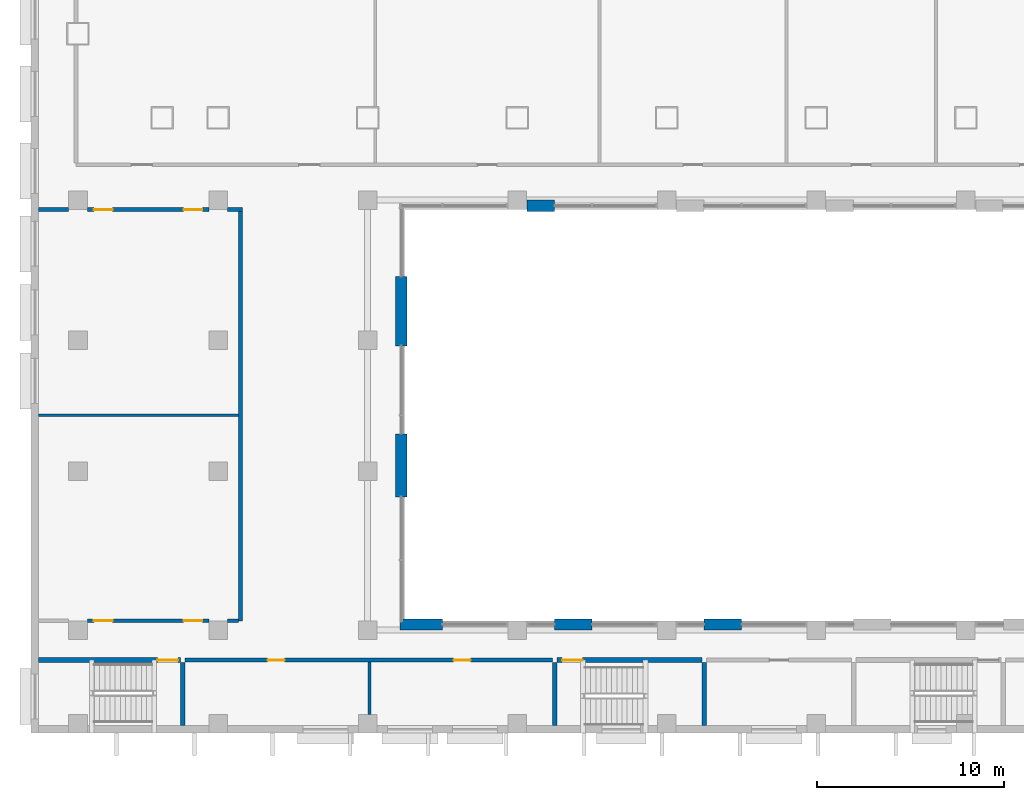
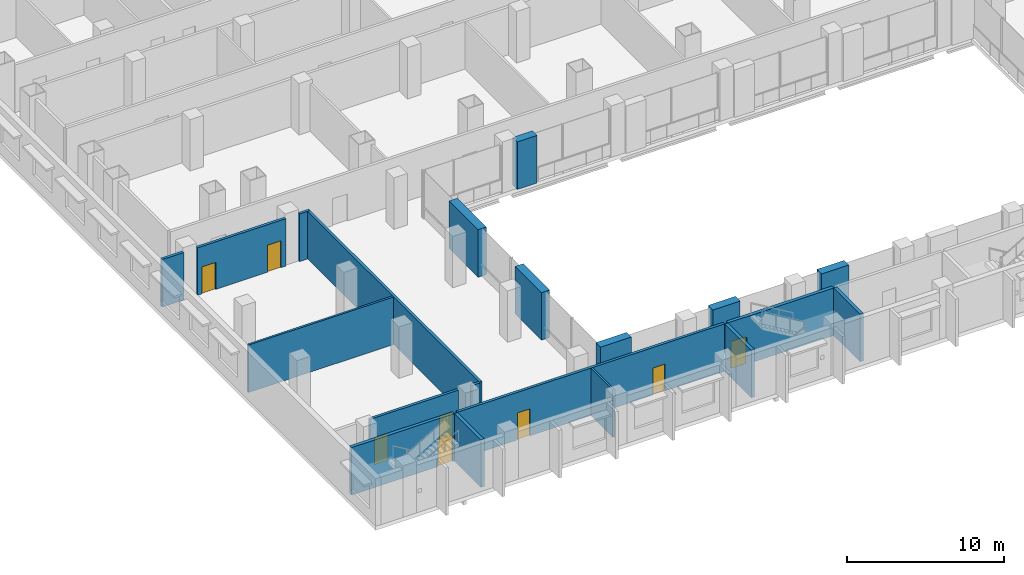
# One storey, part 8 of 25: 20 walls, 8 doors, 8 openings.
"""IFC4 building model written with IfcOpenShell, lengths in metres."""

from ifc_helpers import new_model, si_unit, direction, frame, frame_2d, origin, place, context, subcontext, project, spatial, rectangle, extrude, material, layer, layer_set, type_object, element, fill, save


model = new_model("IFC4")

# Units and contexts
model_context = context("Model", 3, precision=1e-05, world=origin(), true_north=direction((0.0, 1.0)))
body_context = subcontext(model_context, "Body", "Model", "MODEL_VIEW")
ifc_project = project(units=[si_unit("LENGTHUNIT", "METRE"), si_unit("AREAUNIT", "SQUARE_METRE"), si_unit("VOLUMEUNIT", "CUBIC_METRE"), si_unit("PLANEANGLEUNIT", "RADIAN"), si_unit("MASSUNIT", "GRAM", prefix="KILO")], contexts=[model_context])

# Site, building, storey
site_placement = place(None, origin())
site = spatial("IfcSite", under=ifc_project, at=site_placement, CompositionType="ELEMENT")
building_placement = place(site_placement, origin())
building = spatial("IfcBuilding", under=site, at=building_placement, Name="Vidyagriha Tower", CompositionType="ELEMENT")
storey_placement = place(building_placement, frame((0.0, 0.0, 10.0)))
storey = spatial("IfcBuildingStorey", under=building, at=storey_placement, Name="L02", CompositionType="ELEMENT", Elevation=10.0)

# Walls
ifc_material_1 = material(Name="Precast concrete C40/50 with brick facing", Category="concrete")
ifc_layer_1 = layer(ifc_material_1, 0.60009765625)
ifc_layer_set_1 = layer_set([ifc_layer_1], Name="Precast concrete C40/50 with brick facing")
wall_type_1 = type_object("IfcWallType", Name="Brick-faced precast wall 600", PredefinedType="STANDARD", material=ifc_layer_set_1)
for number, where, z_axis, x_axis, name in (
    (1, (-2.0, -44.199951171875, 0.0), (0.0, 0.0, 1.0), (-1.0, 0.0, 0.0), "Brick door bay wall L02 R07.12"),
    (2, (-10.0, -44.199951171875, 0.0), (0.0, 0.0, 1.0), (-1.0, 0.0, 0.0), "Brick door bay wall L02 R07.16"),
):
    element("IfcWall", number, at=place(storey_placement, frame(where, z_axis=z_axis, x_axis=x_axis)), inside=storey, type_object=wall_type_1, Name=name, PredefinedType="STANDARD", context=body_context, shape_type="SweptSolid", body=[
        extrude(rectangle(XDim=2.0, YDim=0.60009765625, at=frame_2d((1.0, 0.0))), origin(), (0.0, 0.0, 1.0), 3.699951171875),
    ])
wall_1_placement = place(storey_placement, frame((-18.0, -44.199951171875, 0.0), z_axis=(0.0, 0.0, 1.0), x_axis=(-1.0, 0.0, 0.0)))
element("IfcWall", 3, at=wall_1_placement, inside=storey, type_object=wall_type_1, Name="Brick door bay wall L02 R07.20", PredefinedType="STANDARD", context=body_context, shape_type="SweptSolid", body=[
    extrude(rectangle(XDim=2.280029296875, YDim=0.60009765625, at=frame_2d((1.14013671875, 0.0))), origin(), (0.0, 0.0, 1.0), 3.699951171875),
])
wall_2_placement = place(storey_placement, frame((-20.199951171875, -37.373291015625, 0.0), z_axis=(0.0, 0.0, 1.0), x_axis=(0.0, 1.0, 0.0)))
element("IfcWall", 4, at=wall_2_placement, inside=storey, type_object=wall_type_1, Name="Brick door bay wall L02 R08.3", PredefinedType="STANDARD", context=body_context, shape_type="SweptSolid", body=[
    extrude(rectangle(XDim=3.373291015625, YDim=0.60009765625, at=frame_2d((1.6865234375, 0.0))), origin(), (0.0, 0.0, 1.0), 3.699951171875),
])
wall_3_placement = place(storey_placement, frame((-20.199951171875, -29.293212890625, 0.0), z_axis=(0.0, 0.0, 1.0), x_axis=(0.0, 1.0, 0.0)))
element("IfcWall", 5, at=wall_3_placement, inside=storey, type_object=wall_type_1, Name="Brick door bay wall L02 R08.6", PredefinedType="STANDARD", context=body_context, shape_type="SweptSolid", body=[
    extrude(rectangle(XDim=3.70654296875, YDim=0.60009765625, at=frame_2d((1.853271484375, 0.0))), origin(), (0.0, 0.0, 1.0), 3.699951171875),
])
wall_4_placement = place(storey_placement, frame((-13.469970703125, -21.800048828125, 0.0)))
element("IfcWall", 6, at=wall_4_placement, inside=storey, type_object=wall_type_1, Name="Brick door bay wall L02 R09.4", PredefinedType="STANDARD", context=body_context, shape_type="SweptSolid", body=[
    extrude(rectangle(XDim=1.469970703125, YDim=0.60009765625, at=frame_2d((0.73486328125, 0.0))), origin(), (0.0, 0.0, 1.0), 3.699951171875),
])

# Wall, opening, door
ifc_material_2 = material(Name="Concrete C32/40", Category="concrete")
ifc_layer_2 = layer(ifc_material_2, 0.25)
ifc_layer_set_2 = layer_set([ifc_layer_2], Name="Concrete C32/40")
wall_type_2 = type_object("IfcWallType", Name="Concrete Stair Enclosure Wall 250", PredefinedType="SOLIDWALL", material=ifc_layer_set_2)
wall_5_placement = place(storey_placement, frame((-39.60009765625, -46.10009765625, 0.0)))
wall_5 = element("IfcWall", 7, at=wall_5_placement, inside=storey, type_object=wall_type_2, Name="L02 Concrete Stair Enclosure Wall 250 003", PredefinedType="SOLIDWALL", context=body_context, shape_type="SweptSolid", body=[
    extrude(rectangle(XDim=7.5751953125, YDim=0.25, at=frame_2d((3.78759765625, 0.0))), origin(), (0.0, 0.0, 1.0), 3.699951171875),
])
opening_1_placement = place(wall_5_placement, frame((6.35498046875, 0.0, 0.0)))
opening_1 = element("IfcOpeningElement", 8, at=opening_1_placement, cuts=wall_5, Name="Opening D02-59", PredefinedType="OPENING", context=body_context, shape_type="SweptSolid", body=[
    extrude(rectangle(XDim=1.10009765625, YDim=2.10009765625, at=frame_2d((0.550048828125, 1.050048828125))), frame((0.0, 0.135009765625, 0.0), z_axis=(0.0, -1.0, 0.0), x_axis=(1.0, 0.0, 0.0)), (0.0, 0.0, 1.0), 0.27001953125),
])
ifc_material_3 = material(Name="Steel fire door set", Category="steel")
door_type_1 = type_object("IfcDoorType", Name="Podium Door 1100x2100 EI 90", OperationType="NOTDEFINED", PredefinedType="DOOR", material=ifc_material_3)
door_1_placement = place(opening_1_placement, origin())
door_1 = element("IfcDoor", 9, at=door_1_placement, inside=storey, type_object=door_type_1, Name="L02 door D02-59", OperationType="SINGLE_SWING_RIGHT", OverallHeight=2.10009765625, OverallWidth=1.10009765625, PredefinedType="DOOR", context=body_context, shape_type="SweptSolid", body=[
    extrude(rectangle(XDim=1.10009765625, YDim=2.10009765625, at=frame_2d((0.550048828125, 1.050048828125))), frame((0.0, 0.02490234375, 0.0), z_axis=(0.0, -1.0, 0.0), x_axis=(1.0, 0.0, 0.0)), (0.0, 0.0, 1.0), 0.050048828125),
])
fill(opening_1, door_1)

wall_6_placement = place(storey_placement, frame((-11.875, -46.10009765625, 0.0)))
wall_6 = element("IfcWall", 10, at=wall_6_placement, inside=storey, type_object=wall_type_2, Name="L02 Concrete Stair Enclosure Wall 250 004", PredefinedType="SOLIDWALL", context=body_context, shape_type="SweptSolid", body=[
    extrude(rectangle(XDim=7.75, YDim=0.25, at=frame_2d((3.875, 0.0))), origin(), (0.0, 0.0, 1.0), 3.699951171875),
])
opening_2_placement = place(wall_6_placement, frame((0.27001953125, 0.0, 0.0)))
opening_2 = element("IfcOpeningElement", 11, at=opening_2_placement, cuts=wall_6, Name="Opening D02-61", PredefinedType="OPENING", context=body_context, shape_type="SweptSolid", body=[
    extrude(rectangle(XDim=1.10009765625, YDim=2.10009765625, at=frame_2d((0.550048828125, 1.050048828125))), frame((0.0, 0.135009765625, 0.0), z_axis=(0.0, -1.0, 0.0), x_axis=(1.0, 0.0, 0.0)), (0.0, 0.0, 1.0), 0.27001953125),
])
door_2_placement = place(opening_2_placement, origin())
door_2 = element("IfcDoor", 12, at=door_2_placement, inside=storey, type_object=door_type_1, Name="L02 door D02-61", OperationType="SINGLE_SWING_LEFT", OverallHeight=2.10009765625, OverallWidth=1.10009765625, PredefinedType="DOOR", context=body_context, shape_type="SweptSolid", body=[
    extrude(rectangle(XDim=1.10009765625, YDim=2.10009765625, at=frame_2d((0.550048828125, 1.050048828125))), frame((0.0, 0.02490234375, 0.0), z_axis=(0.0, -1.0, 0.0), x_axis=(1.0, 0.0, 0.0)), (0.0, 0.0, 1.0), 0.050048828125),
])
fill(opening_2, door_2)

# Walls
for number, where, z_axis, x_axis, name in (
    (13, (-31.89990234375, -49.60009765625, 0.0), (0.0, 0.0, 1.0), (0.0, 1.0, 0.0), "L02 Concrete Stair Enclosure Wall 250 044"),
    (14, (-12.0, -49.60009765625, 0.0), (0.0, 0.0, 1.0), (0.0, 1.0, 0.0), "L02 Concrete Stair Enclosure Wall 250 056"),
    (15, (-4.0, -49.60009765625, 0.0), (0.0, 0.0, 1.0), (0.0, 1.0, 0.0), "L02 Concrete Stair Enclosure Wall 250 059"),
):
    element("IfcWall", number, at=place(storey_placement, frame(where, z_axis=z_axis, x_axis=x_axis)), inside=storey, type_object=wall_type_2, Name=name, PredefinedType="SOLIDWALL", context=body_context, shape_type="SweptSolid", body=[
        extrude(rectangle(XDim=3.375, YDim=0.25, at=frame_2d((1.6875, 0.0))), origin(), (0.0, 0.0, 1.0), 3.699951171875),
    ])

# Wall, openings, doors
ifc_material_4 = material(Name="Fire rated gypsum board on light gauge framing")
ifc_layer_3 = layer(ifc_material_4, 0.199951171875)
ifc_layer_set_3 = layer_set([ifc_layer_3], Name="Fire rated gypsum board on light gauge framing")
wall_type_3 = type_object("IfcWallType", Name="Fire Rated Corridor Wall 200", PredefinedType="PARTITIONING", material=ifc_layer_set_3)
wall_7_placement = place(storey_placement, frame((-31.77490234375, -46.10009765625, 0.0)))
wall_7 = element("IfcWall", 16, at=wall_7_placement, inside=storey, type_object=wall_type_3, Name="L02 Fire Rated Corridor Wall 200 000", PredefinedType="PARTITIONING", context=body_context, shape_type="SweptSolid", body=[
    extrude(rectangle(XDim=19.64990234375, YDim=0.199951171875, at=frame_2d((9.824951171875, 0.0))), origin(), (0.0, 0.0, 1.0), 3.699951171875),
])
opening_3_placement = place(wall_7_placement, frame((4.425048828125, 0.0, 0.0)))
opening_3 = element("IfcOpeningElement", 17, at=opening_3_placement, cuts=wall_7, Name="Opening D02-22", PredefinedType="OPENING", context=body_context, shape_type="SweptSolid", body=[
    extrude(rectangle(XDim=0.89990234375, YDim=2.10009765625, at=frame_2d((0.449951171875, 1.050048828125))), frame((0.0, 0.10986328125, 0.0), z_axis=(0.0, -1.0, 0.0), x_axis=(1.0, 0.0, 0.0)), (0.0, 0.0, 1.0), 0.219970703125),
])
opening_4_placement = place(wall_7_placement, frame((14.375, 0.0, 0.0)))
opening_4 = element("IfcOpeningElement", 18, at=opening_4_placement, cuts=wall_7, Name="Opening D02-23", PredefinedType="OPENING", context=body_context, shape_type="SweptSolid", body=[
    extrude(rectangle(XDim=0.89990234375, YDim=2.10009765625, at=frame_2d((0.449951171875, 1.050048828125))), frame((0.0, 0.10986328125, 0.0), z_axis=(0.0, -1.0, 0.0), x_axis=(1.0, 0.0, 0.0)), (0.0, 0.0, 1.0), 0.219970703125),
])
ifc_material_5 = material(Name="Steel fire door set", Category="steel")
door_type_2 = type_object("IfcDoorType", Name="Podium Door 900x2100 EI 30", OperationType="NOTDEFINED", PredefinedType="DOOR", material=ifc_material_5)
door_3_placement = place(opening_3_placement, frame((0.89990234375, 0.0, 0.0), z_axis=(0.0, 0.0, 1.0), x_axis=(-1.0, 0.0, 0.0)))
door_3 = element("IfcDoor", 19, at=door_3_placement, inside=storey, type_object=door_type_2, Name="L02 door D02-22", OperationType="SINGLE_SWING_LEFT", OverallHeight=2.10009765625, OverallWidth=0.89990234375, PredefinedType="DOOR", context=body_context, shape_type="SweptSolid", body=[
    extrude(rectangle(XDim=0.89990234375, YDim=2.10009765625, at=frame_2d((0.449951171875, 1.050048828125))), frame((0.0, 0.02490234375, 0.0), z_axis=(0.0, -1.0, 0.0), x_axis=(1.0, 0.0, 0.0)), (0.0, 0.0, 1.0), 0.050048828125),
])
fill(opening_3, door_3)
door_4_placement = place(opening_4_placement, frame((0.89990234375, 0.0, 0.0), z_axis=(0.0, 0.0, 1.0), x_axis=(-1.0, 0.0, 0.0)))
door_4 = element("IfcDoor", 20, at=door_4_placement, inside=storey, type_object=door_type_2, Name="L02 door D02-23", OperationType="SINGLE_SWING_RIGHT", OverallHeight=2.10009765625, OverallWidth=0.89990234375, PredefinedType="DOOR", context=body_context, shape_type="SweptSolid", body=[
    extrude(rectangle(XDim=0.89990234375, YDim=2.10009765625, at=frame_2d((0.449951171875, 1.050048828125))), frame((0.0, 0.02490234375, 0.0), z_axis=(0.0, -1.0, 0.0), x_axis=(1.0, 0.0, 0.0)), (0.0, 0.0, 1.0), 0.050048828125),
])
fill(opening_4, door_4)

wall_8_placement = place(storey_placement, frame((-37.0, -44.0, 0.0)))
wall_8 = element("IfcWall", 21, at=wall_8_placement, inside=storey, type_object=wall_type_3, Name="L02 Fire Rated Corridor Wall 200 008", PredefinedType="PARTITIONING", context=body_context, shape_type="SweptSolid", body=[
    extrude(rectangle(XDim=6.5, YDim=0.199951171875, at=frame_2d((3.25, 0.0))), origin(), (0.0, 0.0, 1.0), 3.699951171875),
])
opening_5_placement = place(wall_8_placement, frame((0.35009765625, 0.0, 0.0)))
opening_5 = element("IfcOpeningElement", 22, at=opening_5_placement, cuts=wall_8, Name="Opening D02-14", PredefinedType="OPENING", context=body_context, shape_type="SweptSolid", body=[
    extrude(rectangle(XDim=1.0, YDim=2.10009765625, at=frame_2d((0.5, 1.050048828125))), frame((0.0, 0.10986328125, 0.0), z_axis=(0.0, -1.0, 0.0), x_axis=(1.0, 0.0, 0.0)), (0.0, 0.0, 1.0), 0.219970703125),
])
opening_6_placement = place(wall_8_placement, frame((5.14990234375, 0.0, 0.0)))
opening_6 = element("IfcOpeningElement", 23, at=opening_6_placement, cuts=wall_8, Name="Opening D02-15", PredefinedType="OPENING", context=body_context, shape_type="SweptSolid", body=[
    extrude(rectangle(XDim=1.0, YDim=2.10009765625, at=frame_2d((0.5, 1.050048828125))), frame((0.0, 0.10986328125, 0.0), z_axis=(0.0, -1.0, 0.0), x_axis=(1.0, 0.0, 0.0)), (0.0, 0.0, 1.0), 0.219970703125),
])
ifc_material_6 = material(Name="Steel fire door set", Category="steel")
door_type_3 = type_object("IfcDoorType", Name="Podium Door 1000x2100 EI 30", OperationType="NOTDEFINED", PredefinedType="DOOR", material=ifc_material_6)
door_5_placement = place(opening_5_placement, origin())
door_5 = element("IfcDoor", 24, at=door_5_placement, inside=storey, type_object=door_type_3, Name="L02 door D02-14", OperationType="SINGLE_SWING_LEFT", OverallHeight=2.10009765625, OverallWidth=1.0, PredefinedType="DOOR", context=body_context, shape_type="SweptSolid", body=[
    extrude(rectangle(XDim=1.0, YDim=2.10009765625, at=frame_2d((0.5, 1.050048828125))), frame((0.0, 0.02490234375, 0.0), z_axis=(0.0, -1.0, 0.0), x_axis=(1.0, 0.0, 0.0)), (0.0, 0.0, 1.0), 0.050048828125),
])
fill(opening_5, door_5)
door_6_placement = place(opening_6_placement, origin())
door_6 = element("IfcDoor", 25, at=door_6_placement, inside=storey, type_object=door_type_3, Name="L02 door D02-15", OperationType="SINGLE_SWING_RIGHT", OverallHeight=2.10009765625, OverallWidth=1.0, PredefinedType="DOOR", context=body_context, shape_type="SweptSolid", body=[
    extrude(rectangle(XDim=1.0, YDim=2.10009765625, at=frame_2d((0.5, 1.050048828125))), frame((0.0, 0.02490234375, 0.0), z_axis=(0.0, -1.0, 0.0), x_axis=(1.0, 0.0, 0.0)), (0.0, 0.0, 1.0), 0.050048828125),
])
fill(opening_6, door_6)

# Walls
wall_9_placement = place(storey_placement, frame((-29.5, -44.0, 0.0)))
element("IfcWall", 26, at=wall_9_placement, inside=storey, type_object=wall_type_3, Name="L02 Fire Rated Corridor Wall 200 009", PredefinedType="PARTITIONING", context=body_context, shape_type="SweptSolid", body=[
    extrude(rectangle(XDim=0.599853515625, YDim=0.199951171875, at=frame_2d((0.2998046875, 0.0))), origin(), (0.0, 0.0, 1.0), 3.699951171875),
])
wall_10_placement = place(storey_placement, frame((-39.60009765625, -22.0, 0.0)))
element("IfcWall", 27, at=wall_10_placement, inside=storey, type_object=wall_type_3, Name="L02 Fire Rated Corridor Wall 200 015", PredefinedType="PARTITIONING", context=body_context, shape_type="SweptSolid", body=[
    extrude(rectangle(XDim=1.60009765625, YDim=0.199951171875, at=frame_2d((0.800048828125, 0.0))), origin(), (0.0, 0.0, 1.0), 3.699951171875),
])

# Wall, openings, doors
wall_11_placement = place(storey_placement, frame((-37.0, -22.0, 0.0)))
wall_11 = element("IfcWall", 28, at=wall_11_placement, inside=storey, type_object=wall_type_3, Name="L02 Fire Rated Corridor Wall 200 016", PredefinedType="PARTITIONING", context=body_context, shape_type="SweptSolid", body=[
    extrude(rectangle(XDim=6.5, YDim=0.199951171875, at=frame_2d((3.25, 0.0))), origin(), (0.0, 0.0, 1.0), 3.699951171875),
])
opening_7_placement = place(wall_11_placement, frame((0.35009765625, 0.0, 0.0)))
opening_7 = element("IfcOpeningElement", 29, at=opening_7_placement, cuts=wall_11, Name="Opening D02-16", PredefinedType="OPENING", context=body_context, shape_type="SweptSolid", body=[
    extrude(rectangle(XDim=1.0, YDim=2.10009765625, at=frame_2d((0.5, 1.050048828125))), frame((0.0, 0.10986328125, 0.0), z_axis=(0.0, -1.0, 0.0), x_axis=(1.0, 0.0, 0.0)), (0.0, 0.0, 1.0), 0.219970703125),
])
opening_8_placement = place(wall_11_placement, frame((5.14990234375, 0.0, 0.0)))
opening_8 = element("IfcOpeningElement", 30, at=opening_8_placement, cuts=wall_11, Name="Opening D02-17", PredefinedType="OPENING", context=body_context, shape_type="SweptSolid", body=[
    extrude(rectangle(XDim=1.0, YDim=2.10009765625, at=frame_2d((0.5, 1.050048828125))), frame((0.0, 0.10986328125, 0.0), z_axis=(0.0, -1.0, 0.0), x_axis=(1.0, 0.0, 0.0)), (0.0, 0.0, 1.0), 0.219970703125),
])
door_7_placement = place(opening_7_placement, frame((1.0, 0.0, 0.0), z_axis=(0.0, 0.0, 1.0), x_axis=(-1.0, 0.0, 0.0)))
door_7 = element("IfcDoor", 31, at=door_7_placement, inside=storey, type_object=door_type_3, Name="L02 door D02-16", OperationType="SINGLE_SWING_LEFT", OverallHeight=2.10009765625, OverallWidth=1.0, PredefinedType="DOOR", context=body_context, shape_type="SweptSolid", body=[
    extrude(rectangle(XDim=1.0, YDim=2.10009765625, at=frame_2d((0.5, 1.050048828125))), frame((0.0, 0.02490234375, 0.0), z_axis=(0.0, -1.0, 0.0), x_axis=(1.0, 0.0, 0.0)), (0.0, 0.0, 1.0), 0.050048828125),
])
fill(opening_7, door_7)
door_8_placement = place(opening_8_placement, frame((1.0, 0.0, 0.0), z_axis=(0.0, 0.0, 1.0), x_axis=(-1.0, 0.0, 0.0)))
door_8 = element("IfcDoor", 32, at=door_8_placement, inside=storey, type_object=door_type_3, Name="L02 door D02-17", OperationType="SINGLE_SWING_RIGHT", OverallHeight=2.10009765625, OverallWidth=1.0, PredefinedType="DOOR", context=body_context, shape_type="SweptSolid", body=[
    extrude(rectangle(XDim=1.0, YDim=2.10009765625, at=frame_2d((0.5, 1.050048828125))), frame((0.0, 0.02490234375, 0.0), z_axis=(0.0, -1.0, 0.0), x_axis=(1.0, 0.0, 0.0)), (0.0, 0.0, 1.0), 0.050048828125),
])
fill(opening_8, door_8)

# Walls
wall_12_placement = place(storey_placement, frame((-29.5, -22.0, 0.0)))
element("IfcWall", 33, at=wall_12_placement, inside=storey, type_object=wall_type_3, Name="L02 Fire Rated Corridor Wall 200 017", PredefinedType="PARTITIONING", context=body_context, shape_type="SweptSolid", body=[
    extrude(rectangle(XDim=0.7998046875, YDim=0.199951171875, at=frame_2d((0.39990234375, 0.0))), origin(), (0.0, 0.0, 1.0), 3.699951171875),
])
wall_13_placement = place(storey_placement, frame((-28.800048828125, -44.0, 0.0), z_axis=(0.0, 0.0, 1.0), x_axis=(0.0, 1.0, 0.0)))
element("IfcWall", 34, at=wall_13_placement, inside=storey, type_object=wall_type_3, Name="L02 Fire Rated Corridor Wall 200 045", PredefinedType="PARTITIONING", context=body_context, shape_type="SweptSolid", body=[
    extrude(rectangle(XDim=21.89990234375, YDim=0.199951171875, at=frame_2d((10.949951171875, 0.0))), origin(), (0.0, 0.0, 1.0), 3.699951171875),
])
ifc_material_7 = material(Name="Gypsum board on light gauge framing")
ifc_layer_4 = layer(ifc_material_7, 0.14990234375)
ifc_layer_set_4 = layer_set([ifc_layer_4], Name="Gypsum board on light gauge framing")
wall_type_4 = type_object("IfcWallType", Name="Gypsum Board Partition 150", PredefinedType="PARTITIONING", material=ifc_layer_set_4)
wall_14_placement = place(storey_placement, frame((-39.60009765625, -33.0, 0.0)))
element("IfcWall", 35, at=wall_14_placement, inside=storey, type_object=wall_type_4, Name="L02 Gypsum Board Partition 150 014", PredefinedType="PARTITIONING", context=body_context, shape_type="SweptSolid", body=[
    extrude(rectangle(XDim=10.7001953125, YDim=0.14990234375, at=frame_2d((5.35009765625, 0.0))), origin(), (0.0, 0.0, 1.0), 3.699951171875),
])
wall_15_placement = place(storey_placement, frame((-21.89990234375, -49.0, 0.0), z_axis=(0.0, 0.0, 1.0), x_axis=(0.0, 1.0, 0.0)))
element("IfcWall", 36, at=wall_15_placement, inside=storey, type_object=wall_type_4, Name="L02 Gypsum Board Partition 150 051", PredefinedType="PARTITIONING", context=body_context, shape_type="SweptSolid", body=[
    extrude(rectangle(XDim=2.800048828125, YDim=0.14990234375, at=frame_2d((1.39990234375, 0.0))), origin(), (0.0, 0.0, 1.0), 3.699951171875),
])

save(model, "model.ifc")
